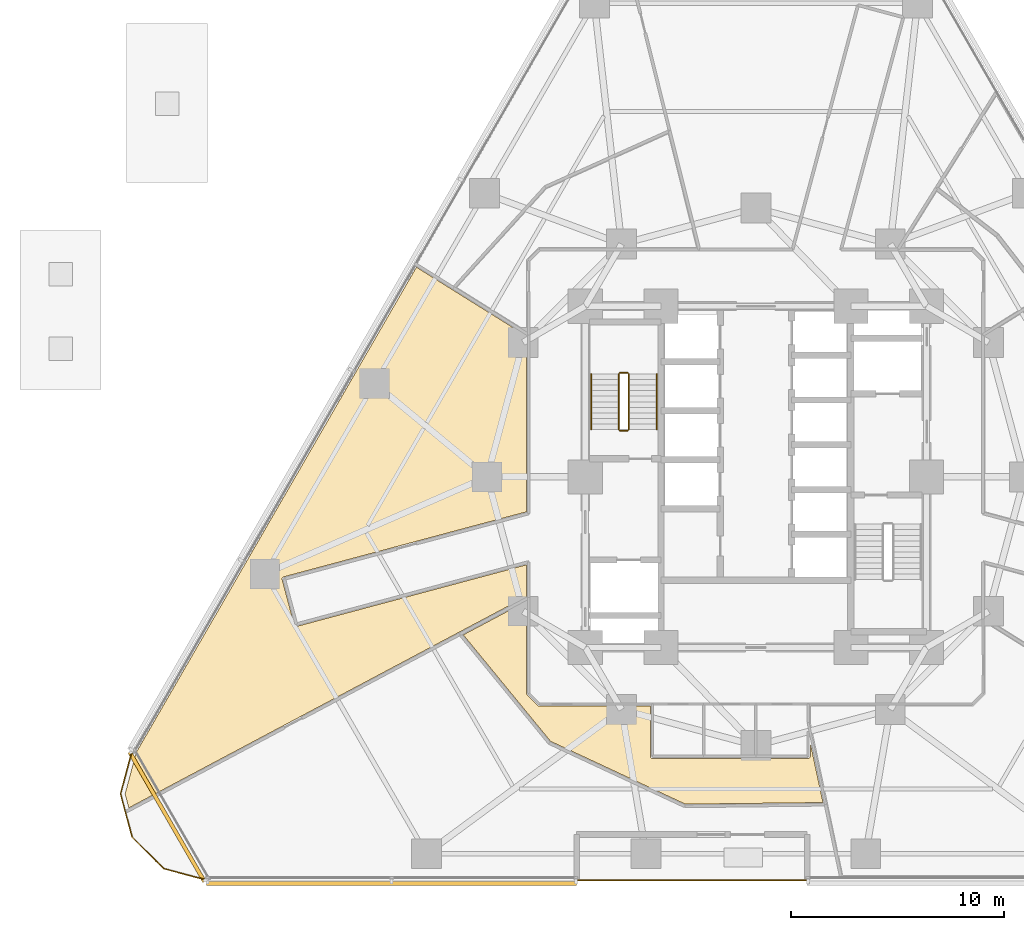
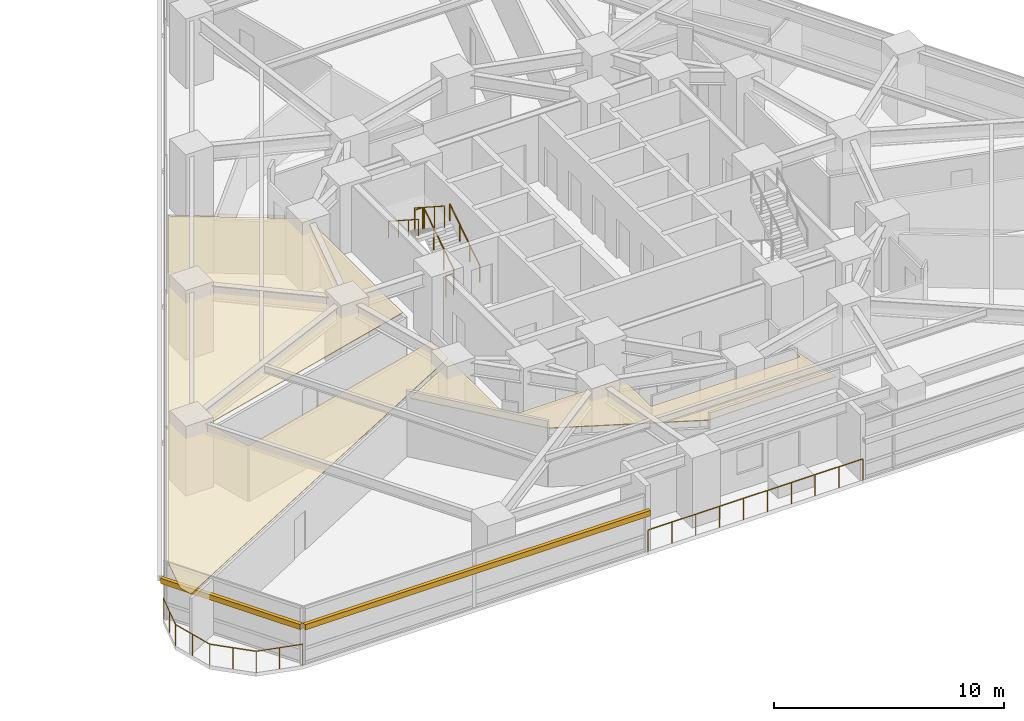
# One storey, part 13 of 16: 8 railings, 2 coverings, 2 shading devices.
"""IFC4 building model written with IfcOpenShell, lengths in metres."""

import ifcopenshell
import ifcopenshell.guid

model = None  # the IFC model being written
_history = None  # IfcOwnerHistory: only IFC2X3 demands one
_inside = {}  # id of a spatial element -> (the spatial element, [elements in it])
_under = {}  # id of a project, library or spatial element -> (it, [spatial elements below it])
_declared = {}  # id of a project -> (the project, [libraries it declares])
_typed = {}  # id of a type object -> (the type object, [elements of that type])
_made_of = {}  # id of a material, layer set ... -> (it, [elements and type objects made of it])


def new_model(schema):
    """Start an empty IFC model of exactly this schema.

    Asked for "IFC4X3", IfcOpenShell would pick the latest addendum, in which some entities
    have other attributes; the version numbers below select the first issue.
    IFC2X3 requires an IfcOwnerHistory on every rooted entity: one is made here for all.
    """
    global model, _history
    if schema == "IFC4X3":
        model = ifcopenshell.file(schema_version=(4, 3, 0, 0))
    else:
        model = ifcopenshell.file(schema=schema)
    _inside.clear()
    _under.clear()
    _declared.clear()
    _typed.clear()
    _made_of.clear()
    _history = None
    if model.schema == "IFC2X3":
        org = make("IfcOrganization", Name="unknown")
        user = make(
            "IfcPersonAndOrganization",
            ThePerson=make("IfcPerson", FamilyName="unknown"),
            TheOrganization=org,
        )
        app = make(
            "IfcApplication",
            ApplicationDeveloper=org,
            Version="unknown",
            ApplicationFullName="unknown",
            ApplicationIdentifier="unknown",
        )
        _history = make(
            "IfcOwnerHistory",
            OwningUser=user,
            OwningApplication=app,
            ChangeAction="ADDED",
            CreationDate=0,
        )
    return model


def make(cls, **values):
    """One entity of the class cls with the attributes given. An attribute that is None is left unset."""
    return model.create_entity(
        cls, **{name: value for name, value in values.items() if value is not None}
    )


def rooted(cls, **values):
    """An entity with a GlobalId (a new one), such as an element, a storey or a relation."""
    return make(cls, GlobalId=ifcopenshell.guid.new(), OwnerHistory=_history, **values)


def si_unit(unit_type, name, prefix=None):
    """IfcSIUnit, for example si_unit("LENGTHUNIT", "METRE", prefix="MILLI")."""
    return make("IfcSIUnit", UnitType=unit_type, Prefix=prefix, Name=name)


def assignment(units):
    """IfcUnitAssignment: the units of a project."""
    return None if units is None else make("IfcUnitAssignment", Units=units)


def point(xyz):
    """IfcCartesianPoint."""
    return None if xyz is None else make("IfcCartesianPoint", Coordinates=xyz)


def direction(xyz):
    """IfcDirection."""
    return None if xyz is None else make("IfcDirection", DirectionRatios=xyz)


def frame(location, z_axis=None, x_axis=None):
    """IfcAxis2Placement3D, a coordinate frame: its origin and axes. An axis left out is left unset."""
    return make(
        "IfcAxis2Placement3D",
        Location=point(location),
        Axis=direction(z_axis),
        RefDirection=direction(x_axis),
    )


def frame_2d(location, x_axis=None):
    """IfcAxis2Placement2D, a coordinate frame in the plane: its origin and x axis."""
    return make(
        "IfcAxis2Placement2D", Location=point(location), RefDirection=direction(x_axis)
    )


def origin():
    """The frame at (0, 0, 0) with its axes left unset."""
    return frame((0.0, 0.0, 0.0))


def origin_2d():
    """The frame at (0, 0) in the plane with its x axis left unset."""
    return frame_2d((0.0, 0.0))


def place(relative_to, where):
    """IfcLocalPlacement: puts the frame where relative to a parent placement (None: the world)."""
    return make(
        "IfcLocalPlacement", PlacementRelTo=relative_to, RelativePlacement=where
    )


def context(
    kind, dimensions, precision=None, world=None, true_north=None, identifier=None
):
    """IfcGeometricRepresentationContext, for example the 3D "Model" context."""
    return make(
        "IfcGeometricRepresentationContext",
        ContextIdentifier=identifier,
        ContextType=kind,
        CoordinateSpaceDimension=dimensions,
        Precision=precision,
        WorldCoordinateSystem=world,
        TrueNorth=true_north,
    )


def subcontext(parent, identifier, kind, view, scale=None):
    """IfcGeometricRepresentationSubContext, for example "Body" below "Model"."""
    return make(
        "IfcGeometricRepresentationSubContext",
        ContextIdentifier=identifier,
        ContextType=kind,
        ParentContext=parent,
        TargetScale=scale,
        TargetView=view,
    )


def project(units=None, contexts=None):
    """IfcProject with its units and contexts."""
    return rooted(
        "IfcProject",
        Name="project",
        RepresentationContexts=contexts,
        UnitsInContext=assignment(units),
    )


def spatial(cls, under=None, at=None, **own):
    """A site, building, storey or space (cls), placed at a placement, below another one or the project."""
    s = rooted(cls, ObjectPlacement=at, **own)
    if under is not None:
        _under.setdefault(under.id(), (under, []))[1].append(s)
    return s


def polyline(points):
    """IfcPolyline through the points."""
    return make("IfcPolyline", Points=[point(p) for p in points])


def profile(cls, at=None, kind="AREA", **sizes):
    """A parametric profile (cls). Its sizes go by their IFC names, for example OverallWidth=200.0."""
    return make(cls, ProfileType=kind, Position=at, **sizes)


def rectangle(**sizes):
    """IfcRectangleProfileDef."""
    return profile("IfcRectangleProfileDef", **sizes)


def circle(**sizes):
    """IfcCircleProfileDef."""
    return profile("IfcCircleProfileDef", **sizes)


def outline(outer, holes=None, kind="AREA"):
    """IfcArbitraryClosedProfileDef: a profile drawn as a closed curve; with holes, ...WithVoids."""
    if holes is None:
        return make("IfcArbitraryClosedProfileDef", ProfileType=kind, OuterCurve=outer)
    return make(
        "IfcArbitraryProfileDefWithVoids",
        ProfileType=kind,
        OuterCurve=outer,
        InnerCurves=holes,
    )


def extrude(swept, where, along, depth):
    """IfcExtrudedAreaSolid: the profile swept, set in the frame where, extruded along a direction by depth."""
    return make(
        "IfcExtrudedAreaSolid",
        SweptArea=swept,
        Position=where,
        ExtrudedDirection=direction(along),
        Depth=depth,
    )


def shape(context_of_items, identifier, shape_type, items):
    """IfcShapeRepresentation: the items that make up one representation, for example the "Body"."""
    return make(
        "IfcShapeRepresentation",
        ContextOfItems=context_of_items,
        RepresentationIdentifier=identifier,
        RepresentationType=shape_type,
        Items=items,
    )


def material(Name=None, Category=None):
    """IfcMaterial."""
    return make("IfcMaterial", Name=Name, Category=Category)


def layer(
    of_material, thickness, ventilated=None, Name=None, Category=None, Priority=None
):
    """IfcMaterialLayer: one layer of a wall or slab, of a material (None: an air gap)."""
    return make(
        "IfcMaterialLayer",
        Material=of_material,
        LayerThickness=thickness,
        IsVentilated=ventilated,
        Name=Name,
        Category=Category,
        Priority=Priority,
    )


def layer_set(layers, Name=None):
    """IfcMaterialLayerSet."""
    return make("IfcMaterialLayerSet", MaterialLayers=layers, LayerSetName=Name)


def made_of(thing, what):
    """Note that an element or type object is made of a material, layer set ...; save() writes the relation."""
    if what is not None:
        _made_of.setdefault(what.id(), (what, []))[1].append(thing)
    return thing


def type_object(cls, material=None, **own):
    """A type object (cls), such as IfcWallType, which elements share."""
    return made_of(rooted(cls, **own), material)


def element(
    cls,
    number,
    at=None,
    inside=None,
    cuts=None,
    type_object=None,
    material=None,
    context=None,
    identifier="Body",
    shape_type=None,
    held_by="IfcProductDefinitionShape",
    body=None,
    shapes=None,
    **own,
):
    """One element of the class cls, such as IfcWall. Its Tag is "e" and its number.

    at: its placement. inside: the storey or other place that contains it. cuts: it is an
    opening in that element (IfcRelVoidsElement). A single representation is given by context,
    identifier, shape_type and body (its items); several are given by shapes. held_by: the class
    of the entity that holds the representations. save() writes the other relations.
    """
    e = rooted(cls, Tag="e%d" % number, ObjectPlacement=at, **own)
    if body is not None:
        shapes = [shape(context, identifier, shape_type, body)]
    if shapes is not None:
        e.Representation = make(held_by, Representations=shapes)
    if inside is not None:
        _inside.setdefault(inside.id(), (inside, []))[1].append(e)
    if cuts is not None:
        rooted(
            "IfcRelVoidsElement", RelatingBuildingElement=cuts, RelatedOpeningElement=e
        )
    if type_object is not None:
        _typed.setdefault(type_object.id(), (type_object, []))[1].append(e)
    return made_of(e, material)


def aggregate(whole, parts):
    """IfcRelAggregates: a whole, such as a stair, and the parts it consists of."""
    return rooted("IfcRelAggregates", RelatingObject=whole, RelatedObjects=parts)


def save(model, path):
    """Write the relations noted so far, then the file.

    IfcRelAggregates (storeys below a building ...), IfcRelContainedInSpatialStructure (elements
    in a storey), IfcRelDefinesByType, IfcRelAssociatesMaterial and IfcRelDeclares: one each for
    every whole, place, type object, material and project.
    """
    for whole, parts in _under.values():
        aggregate(whole, parts)
    for where, things in _inside.values():
        rooted(
            "IfcRelContainedInSpatialStructure",
            RelatedElements=things,
            RelatingStructure=where,
        )
    for kind, things in _typed.values():
        rooted("IfcRelDefinesByType", RelatedObjects=things, RelatingType=kind)
    for what, things in _made_of.values():
        rooted("IfcRelAssociatesMaterial", RelatedObjects=things, RelatingMaterial=what)
    for by, libraries in _declared.values():
        rooted("IfcRelDeclares", RelatingContext=by, RelatedDefinitions=libraries)
    model.write(path)


model = new_model("IFC4")

# Units and contexts
model_context = context("Model", 3, precision=1e-05, world=origin(), true_north=direction((0.0, 1.0)))
body_context = subcontext(model_context, "Body", "Model", "MODEL_VIEW")
ifc_project = project(units=[si_unit("LENGTHUNIT", "METRE"), si_unit("AREAUNIT", "SQUARE_METRE"), si_unit("VOLUMEUNIT", "CUBIC_METRE"), si_unit("PLANEANGLEUNIT", "RADIAN"), si_unit("MASSUNIT", "GRAM", prefix="KILO")], contexts=[model_context])

# Site, building, storey
site_placement = place(None, origin())
site = spatial("IfcSite", under=ifc_project, at=site_placement, CompositionType="ELEMENT")
building_placement = place(site_placement, origin())
building = spatial("IfcBuilding", under=site, at=building_placement, Name="Terralouvre Media Tower", CompositionType="ELEMENT")
storey_placement = place(building_placement, frame((0.0, 0.0, 29.699951171875)))
storey = spatial("IfcBuildingStorey", under=building, at=storey_placement, Name="L06", CompositionType="ELEMENT", Elevation=29.699951171875)

# Coverings
ifc_material_1 = material(Name="Perforated aluminium acoustic ceiling baffle", Category="aluminium")
ifc_layer_1 = layer(ifc_material_1, 0.0400390625, Name="Perforated Acoustic Metal Tile Ceiling CL-AC1")
ifc_layer_set_1 = layer_set([ifc_layer_1], Name="Perforated aluminium acoustic ceiling baffle")
covering_type = type_object("IfcCoveringType", Name="Perforated Acoustic Metal Tile Ceiling CL-AC1", PredefinedType="CEILING", material=ifc_layer_set_1)
covering_1_placement = place(storey_placement, frame((0.0, 0.0, 2.97998046875)))
element("IfcCovering", 1, at=covering_1_placement, inside=storey, type_object=covering_type, Name="L06 Assignment Editors Workspace 3 Acoustic Ceiling", PredefinedType="CEILING", context=body_context, shape_type="SweptSolid", body=[
    extrude(outline(polyline([(-10.75, -5.602783203125), (-10.75, -4.122314453125), (-21.51904296875, -7.008544921875), (-21.52880859375, -7.0107421875), (-21.53857421875, -7.01171875), (-21.54833984375, -7.011962890625), (-21.55810546875, -7.010986328125), (-21.567626953125, -7.009521484375), (-21.5771484375, -7.006591796875), (-21.586181640625, -7.003173828125), (-21.594970703125, -6.99853515625), (-21.603271484375, -6.993408203125), (-21.61083984375, -6.9873046875), (-21.617919921875, -6.98046875), (-21.624267578125, -6.972900390625), (-21.6298828125, -6.96484375), (-21.634765625, -6.956298828125), (-21.638671875, -6.947265625), (-21.6416015625, -6.93798828125), (-22.211669921875, -4.81298828125), (-22.213623046875, -4.80322265625), (-22.21484375, -4.793701171875), (-22.21484375, -4.78369140625), (-22.214111328125, -4.77392578125), (-22.21240234375, -4.764404296875), (-22.209716796875, -4.7548828125), (-22.2060546875, -4.74560546875), (-22.20166015625, -4.737060546875), (-22.1962890625, -4.728759765625), (-22.190185546875, -4.72119140625), (-22.183349609375, -4.714111328125), (-22.17578125, -4.707763671875), (-22.167724609375, -4.7021484375), (-22.1591796875, -4.697265625), (-22.150146484375, -4.693359375), (-22.140869140625, -4.6904296875), (-10.75, -1.63818359375), (-10.75, 6.599609375), (-14.22802734375, 8.772216796875), (-15.915283203125, 9.827392578125), (-29.052734375, -12.926513671875), (-29.572509765625, -14.866943359375), (-29.39794921875, -15.517578125), (-13.919921875, -7.28759765625), (-10.75, -5.602783203125)])), origin(), (0.0, 0.0, 1.0), 0.0400390625),
])
covering_2_placement = place(storey_placement, frame((0.0, 0.0, 2.97998046875)))
element("IfcCovering", 2, at=covering_2_placement, inside=storey, type_object=covering_type, Name="L06 Morning Rundown Briefing Room 5 Acoustic Ceiling", PredefinedType="CEILING", context=body_context, shape_type="SweptSolid", body=[
    extrude(outline(polyline([(-9.628173828125, -12.39794921875), (-3.308349609375, -15.3447265625), (3.143798828125, -15.269287109375), (2.550048828125, -12.47705078125), (2.550048828125, -13.10009765625), (2.549560546875, -13.10986328125), (2.548095703125, -13.119384765625), (2.545654296875, -13.12890625), (2.54248046875, -13.13818359375), (2.5380859375, -13.147216796875), (2.533203125, -13.155517578125), (2.52734375, -13.163330078125), (2.520751953125, -13.170654296875), (2.513427734375, -13.17724609375), (2.505615234375, -13.18310546875), (2.4970703125, -13.188232421875), (2.48828125, -13.1923828125), (2.47900390625, -13.19580078125), (2.469482421875, -13.197998046875), (2.459716796875, -13.199462890625), (2.449951171875, -13.199951171875), (-4.85009765625, -13.199951171875), (-4.85986328125, -13.199462890625), (-4.869384765625, -13.197998046875), (-4.87890625, -13.19580078125), (-4.88818359375, -13.1923828125), (-4.897216796875, -13.188232421875), (-4.905517578125, -13.18310546875), (-4.913330078125, -13.17724609375), (-4.920654296875, -13.170654296875), (-4.92724609375, -13.163330078125), (-4.93310546875, -13.155517578125), (-4.938232421875, -13.147216796875), (-4.9423828125, -13.13818359375), (-4.94580078125, -13.12890625), (-4.947998046875, -13.119384765625), (-4.949462890625, -13.10986328125), (-4.949951171875, -13.10009765625), (-4.949951171875, -10.75), (-10.14990234375, -10.75), (-10.159912109375, -10.74951171875), (-10.16943359375, -10.748046875), (-10.178955078125, -10.74560546875), (-10.188232421875, -10.742431640625), (-10.197021484375, -10.73828125), (-10.20556640625, -10.733154296875), (-10.21337890625, -10.727294921875), (-10.220703125, -10.720703125), (-10.720703125, -10.220703125), (-10.727294921875, -10.21337890625), (-10.733154296875, -10.20556640625), (-10.73828125, -10.197021484375), (-10.742431640625, -10.188232421875), (-10.74560546875, -10.178955078125), (-10.748046875, -10.16943359375), (-10.74951171875, -10.159912109375), (-10.75, -10.14990234375), (-10.75, -5.829345703125), (-13.71826171875, -7.406982421875), (-9.628173828125, -12.39794921875)])), origin(), (0.0, 0.0, 1.0), 0.0400390625),
])

# Railings
ifc_material_2 = material(Name="Stainless steel 316 handrail and balustrade", Category="steel")
ifc_layer_2 = layer(ifc_material_2, 0.06005859375, Name="Roof Edge Safety Guardrail GR-ROOF1")
ifc_layer_set_2 = layer_set([ifc_layer_2], Name="Stainless steel 316 handrail and balustrade")
railing_type_1 = type_object("IfcRailingType", Name="Roof Edge Safety Guardrail GR-ROOF1", PredefinedType="GUARDRAIL", material=ifc_layer_set_2)
railing_1_placement = place(storey_placement, frame((-8.39990234375, -18.916748046875, 0.0)))
element("IfcRailing", 3, at=railing_1_placement, inside=storey, type_object=railing_type_1, Name="L06 SG Outer Edge Glass Balustrade", PredefinedType="GUARDRAIL", context=body_context, shape_type="SweptSolid", body=[
    extrude(circle(Radius=0.02392578125, at=origin_2d()), frame((0.0, 0.0, 1.1259765625), z_axis=(1.0, 0.0, 0.0), x_axis=(0.0, 1.0, 0.0)), (0.0, 0.0, 1.0), 10.7998046875),
    extrude(circle(Radius=0.02099609375, at=origin_2d()), origin(), (0.0, 0.0, 1.0), 1.101806640625),
    extrude(circle(Radius=0.02099609375, at=origin_2d()), frame((1.199951171875, 0.0, 0.0)), (0.0, 0.0, 1.0), 1.101806640625),
    extrude(circle(Radius=0.02099609375, at=origin_2d()), frame((2.39990234375, 0.0, 0.0)), (0.0, 0.0, 1.0), 1.101806640625),
    extrude(circle(Radius=0.02099609375, at=origin_2d()), frame((3.599853515625, 0.0, 0.0)), (0.0, 0.0, 1.0), 1.101806640625),
    extrude(circle(Radius=0.02099609375, at=origin_2d()), frame((4.7998046875, 0.0, 0.0)), (0.0, 0.0, 1.0), 1.101806640625),
    extrude(circle(Radius=0.02099609375, at=origin_2d()), frame((6.0, 0.0, 0.0)), (0.0, 0.0, 1.0), 1.101806640625),
    extrude(circle(Radius=0.02099609375, at=origin_2d()), frame((7.199951171875, 0.0, 0.0)), (0.0, 0.0, 1.0), 1.101806640625),
    extrude(circle(Radius=0.02099609375, at=origin_2d()), frame((8.39990234375, 0.0, 0.0)), (0.0, 0.0, 1.0), 1.101806640625),
    extrude(circle(Radius=0.02099609375, at=origin_2d()), frame((9.599853515625, 0.0, 0.0)), (0.0, 0.0, 1.0), 1.101806640625),
    extrude(circle(Radius=0.02099609375, at=origin_2d()), frame((10.7998046875, 0.0, 0.0)), (0.0, 0.0, 1.0), 1.101806640625),
])
railing_2_placement = place(storey_placement, frame((-29.24365234375, -12.835693359375, 0.0)))
element("IfcRailing", 4, at=railing_2_placement, inside=storey, type_object=railing_type_1, Name="L06 Wind-Corner Perimeter Safety Guardrail C0", PredefinedType="GUARDRAIL", context=body_context, shape_type="SweptSolid", body=[
    extrude(circle(Radius=0.02099609375, at=origin_2d()), frame((0.0, 0.0, 1.12890625), z_axis=(-0.259054358605, -0.965862743503, 0.0), x_axis=(0.965862743503, -0.259054358605, 0.0)), (0.0, 0.0, 1.0), 2.095947265625),
    extrude(circle(Radius=0.02099609375, at=origin_2d()), frame((-0.54296875, -2.0244140625, 1.12890625), z_axis=(0.258757438042, -0.965942331745, 0.0), x_axis=(0.965942331745, 0.258757438042, 0.0)), (0.0, 0.0, 1.0), 2.095458984375),
    extrude(circle(Radius=0.02099609375, at=origin_2d()), frame((-0.000732421875, -4.048583984375, 1.12890625), z_axis=(0.707165029613, -0.707048527961, 0.0), x_axis=(0.707048527961, 0.707165029613, 0.0)), (0.0, 0.0, 1.0), 2.095703125),
    extrude(circle(Radius=0.02099609375, at=origin_2d()), frame((1.481201171875, -5.5302734375, 1.12890625), z_axis=(0.965987029675, -0.258590522836, 0.0), x_axis=(0.258590522836, 0.965987029675, 0.0)), (0.0, 0.0, 1.0), 2.095947265625),
    extrude(circle(Radius=0.01904296875, at=origin_2d()), origin(), (0.0, 0.0, 1.0), 1.10791015625),
    extrude(circle(Radius=0.01904296875, at=origin_2d()), frame((-0.271484375, -1.01220703125, 0.0)), (0.0, 0.0, 1.0), 1.10791015625),
    extrude(circle(Radius=0.01904296875, at=origin_2d()), frame((-0.54296875, -2.0244140625, 0.0)), (0.0, 0.0, 1.0), 1.10791015625),
    extrude(circle(Radius=0.01904296875, at=origin_2d()), frame((-0.27197265625, -3.03662109375, 0.0)), (0.0, 0.0, 1.0), 1.10791015625),
    extrude(circle(Radius=0.01904296875, at=origin_2d()), frame((-0.000732421875, -4.048583984375, 0.0)), (0.0, 0.0, 1.0), 1.10791015625),
    extrude(circle(Radius=0.01904296875, at=origin_2d()), frame((0.740234375, -4.78955078125, 0.0)), (0.0, 0.0, 1.0), 1.10791015625),
    extrude(circle(Radius=0.01904296875, at=origin_2d()), frame((1.481201171875, -5.5302734375, 0.0)), (0.0, 0.0, 1.0), 1.10791015625),
    extrude(circle(Radius=0.01904296875, at=origin_2d()), frame((2.49365234375, -5.80126953125, 0.0)), (0.0, 0.0, 1.0), 1.10791015625),
    extrude(circle(Radius=0.01904296875, at=origin_2d()), frame((3.505859375, -6.072265625, 0.0)), (0.0, 0.0, 1.0), 1.10791015625),
])
ifc_material_3 = material(Name="Stainless steel 316 handrail and balustrade", Category="steel")
ifc_layer_3 = layer(ifc_material_3, 0.050048828125, Name="Stair Flight Wall Handrail HR-INT1")
ifc_layer_set_3 = layer_set([ifc_layer_3], Name="Stainless steel 316 handrail and balustrade")
railing_type_2 = type_object("IfcRailingType", Name="Stair Flight Wall Handrail HR-INT1", PredefinedType="HANDRAIL", material=ifc_layer_set_3)
railing_3_placement = place(storey_placement, frame((-4.64990234375, 2.219970703125, 0.168212890625)))
element("IfcRailing", 5, at=railing_3_placement, inside=storey, type_object=railing_type_2, Name="L06 ST-01 stair handrail 1", PredefinedType="HANDRAIL", context=body_context, shape_type="SweptSolid", body=[
    extrude(circle(Radius=0.02392578125, at=origin_2d()), frame((0.0, 0.0, 0.8759765625), z_axis=(0.0, 0.839648411786, 0.543130320075), x_axis=(-1.0, 0.0, 0.0)), (0.0, 0.0, 1.0), 3.0966796875),
    extrude(circle(Radius=0.02099609375, at=origin_2d()), origin(), (0.0, 0.0, 1.0), 0.851806640625),
    extrude(circle(Radius=0.02099609375, at=origin_2d()), frame((0.0, 0.86669921875, 0.560546875)), (0.0, 0.0, 1.0), 0.851806640625),
    extrude(circle(Radius=0.02099609375, at=origin_2d()), frame((0.0, 1.7333984375, 1.121337890625)), (0.0, 0.0, 1.0), 0.851806640625),
    extrude(circle(Radius=0.02099609375, at=origin_2d()), frame((0.0, 2.60009765625, 1.681884765625)), (0.0, 0.0, 1.0), 0.851806640625),
])
railing_4_placement = place(storey_placement, frame((-7.72998046875, 4.820068359375, 2.018310546875)))
element("IfcRailing", 6, at=railing_4_placement, inside=storey, type_object=railing_type_2, Name="L06 ST-01 stair handrail 2", PredefinedType="HANDRAIL", context=body_context, shape_type="SweptSolid", body=[
    extrude(circle(Radius=0.02392578125, at=origin_2d()), frame((0.0, 0.0, 0.8759765625), z_axis=(0.0, -0.839684365666, 0.543074733399), x_axis=(1.0, 0.0, 0.0)), (0.0, 0.0, 1.0), 3.096435546875),
    extrude(circle(Radius=0.02099609375, at=origin_2d()), origin(), (0.0, 0.0, 1.0), 0.851806640625),
    extrude(circle(Radius=0.02099609375, at=origin_2d()), frame((0.0, -0.86669921875, 0.560546875)), (0.0, 0.0, 1.0), 0.851806640625),
    extrude(circle(Radius=0.02099609375, at=origin_2d()), frame((0.0, -1.7333984375, 1.12109375)), (0.0, 0.0, 1.0), 0.851806640625),
    extrude(circle(Radius=0.02099609375, at=origin_2d()), frame((0.0, -2.60009765625, 1.681640625)), (0.0, 0.0, 1.0), 0.851806640625),
])
ifc_material_4 = material(Name="Stainless steel 316 handrail and balustrade", Category="steel")
ifc_layer_4 = layer(ifc_material_4, 0.050048828125, Name="Stairwell Safety Guardrail GR-INT1")
ifc_layer_set_4 = layer_set([ifc_layer_4], Name="Stainless steel 316 handrail and balustrade")
railing_type_3 = type_object("IfcRailingType", Name="Stairwell Safety Guardrail GR-INT1", PredefinedType="GUARDRAIL", material=ifc_layer_set_4)
railing_5_placement = place(storey_placement, frame((-5.949951171875, 2.219970703125, 0.168212890625)))
element("IfcRailing", 7, at=railing_5_placement, inside=storey, type_object=railing_type_3, Name="L06 ST-01 stair guard 1", PredefinedType="GUARDRAIL", context=body_context, shape_type="SweptSolid", body=[
    extrude(circle(Radius=0.02392578125, at=origin_2d()), frame((0.0, 0.0, 1.1259765625), z_axis=(0.0, 0.839648411786, 0.543130320075), x_axis=(-1.0, 0.0, 0.0)), (0.0, 0.0, 1.0), 3.0966796875),
    extrude(circle(Radius=0.02099609375, at=origin_2d()), origin(), (0.0, 0.0, 1.0), 1.101806640625),
    extrude(circle(Radius=0.02099609375, at=origin_2d()), frame((0.0, 0.86669921875, 0.560546875)), (0.0, 0.0, 1.0), 1.101806640625),
    extrude(circle(Radius=0.02099609375, at=origin_2d()), frame((0.0, 1.7333984375, 1.121337890625)), (0.0, 0.0, 1.0), 1.101806640625),
    extrude(circle(Radius=0.02099609375, at=origin_2d()), frame((0.0, 2.60009765625, 1.681884765625)), (0.0, 0.0, 1.0), 1.101806640625),
])
railing_6_placement = place(storey_placement, frame((-6.0, 4.8701171875, 1.85009765625)))
element("IfcRailing", 8, at=railing_6_placement, inside=storey, type_object=railing_type_3, Name="L06 ST-01 stair guard 2", PredefinedType="GUARDRAIL", context=body_context, shape_type="SweptSolid", body=[
    extrude(circle(Radius=0.02392578125, at=origin_2d()), frame((0.0, 0.0, 1.1259765625), z_axis=(-1.0, 0.0, 0.0), x_axis=(0.0, -1.0, 0.0)), (0.0, 0.0, 1.0), 0.3798828125),
    extrude(circle(Radius=0.02099609375, at=origin_2d()), origin(), (0.0, 0.0, 1.0), 1.101806640625),
    extrude(circle(Radius=0.02099609375, at=origin_2d()), frame((-0.3798828125, 0.0, 0.0)), (0.0, 0.0, 1.0), 1.101806640625),
])
railing_7_placement = place(storey_placement, frame((-6.429931640625, 4.820068359375, 2.018310546875)))
element("IfcRailing", 9, at=railing_7_placement, inside=storey, type_object=railing_type_3, Name="L06 ST-01 stair guard 3", PredefinedType="GUARDRAIL", context=body_context, shape_type="SweptSolid", body=[
    extrude(circle(Radius=0.02392578125, at=origin_2d()), frame((0.0, 0.0, 1.1259765625), z_axis=(0.0, -0.839684365666, 0.543074733399), x_axis=(1.0, 0.0, 0.0)), (0.0, 0.0, 1.0), 3.096435546875),
    extrude(circle(Radius=0.02099609375, at=origin_2d()), origin(), (0.0, 0.0, 1.0), 1.101806640625),
    extrude(circle(Radius=0.02099609375, at=origin_2d()), frame((0.0, -0.86669921875, 0.560546875)), (0.0, 0.0, 1.0), 1.101806640625),
    extrude(circle(Radius=0.02099609375, at=origin_2d()), frame((0.0, -1.7333984375, 1.12109375)), (0.0, 0.0, 1.0), 1.101806640625),
    extrude(circle(Radius=0.02099609375, at=origin_2d()), frame((0.0, -2.60009765625, 1.681640625)), (0.0, 0.0, 1.0), 1.101806640625),
])
railing_8_placement = place(storey_placement, frame((-6.0, 2.169921875, 0.0)))
element("IfcRailing", 10, at=railing_8_placement, inside=storey, type_object=railing_type_3, Name="L06 ST-01 stair guard 4", PredefinedType="GUARDRAIL", context=body_context, shape_type="SweptSolid", body=[
    extrude(circle(Radius=0.02392578125, at=origin_2d()), frame((0.0, 0.0, 1.1259765625), z_axis=(-1.0, 0.0, 0.0), x_axis=(0.0, -1.0, 0.0)), (0.0, 0.0, 1.0), 0.3798828125),
    extrude(circle(Radius=0.02099609375, at=origin_2d()), origin(), (0.0, 0.0, 1.0), 1.101806640625),
    extrude(circle(Radius=0.02099609375, at=origin_2d()), frame((-0.3798828125, 0.0, 0.0)), (0.0, 0.0, 1.0), 1.101806640625),
])

# Shading devices
ifc_material_5 = material(Name="Extruded terracotta baguette sunshade louvres", Category="masonry")
shading_device_type = type_object("IfcShadingDeviceType", Name="Terracotta Baguette Sunshade Louvre Screen TB-LV1", PredefinedType="USERDEFINED", material=ifc_material_5)
shading_device_1_placement = place(storey_placement, frame((-17.074951171875, -19.056884765625, 2.02392578125), z_axis=(0.0, 0.0, 1.0), x_axis=(1.0, 0.0, 0.0)))
element("IfcShadingDevice", 11, at=shading_device_1_placement, inside=storey, type_object=shading_device_type, Name="CW-L06-F0L Terracotta Baguette Sunshade Louvre", ObjectType="BAGUETTE", PredefinedType="USERDEFINED", context=body_context, shape_type="SweptSolid", body=[
    extrude(rectangle(XDim=17.35009765625, YDim=0.179931640625, at=origin_2d()), origin(), (0.0, 0.0, 1.0), 0.280029296875),
])
shading_device_2_placement = place(storey_placement, frame((-27.607666015625, -15.939208984375, 2.02392578125), z_axis=(0.0, 0.0, 1.0), x_axis=(0.499999691503, -0.866025581895, 0.0)))
element("IfcShadingDevice", 12, at=shading_device_2_placement, inside=storey, type_object=shading_device_type, Name="CW-L06-C0 Terracotta Baguette Sunshade Louvre", ObjectType="BAGUETTE", PredefinedType="USERDEFINED", context=body_context, shape_type="SweptSolid", body=[
    extrude(rectangle(XDim=7.014892578125, YDim=0.179931640625, at=origin_2d()), origin(), (0.0, 0.0, 1.0), 0.280029296875),
])

save(model, "model.ifc")
